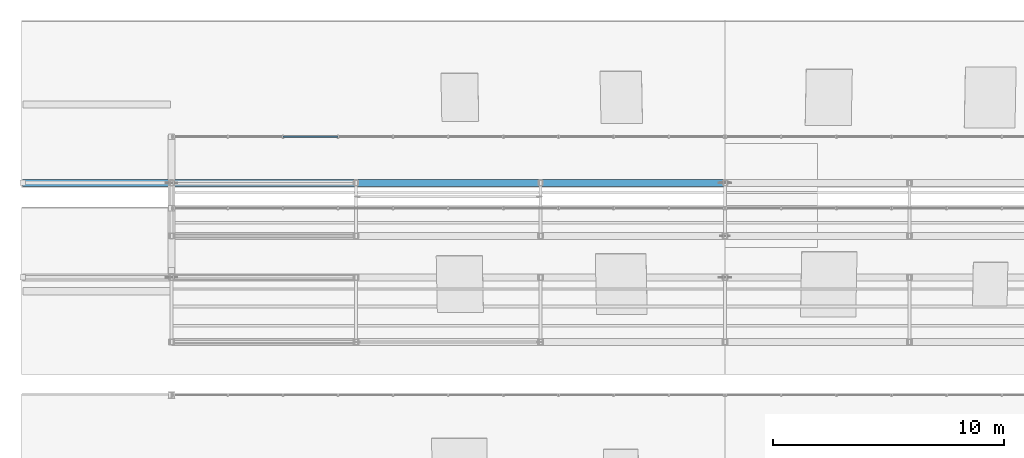
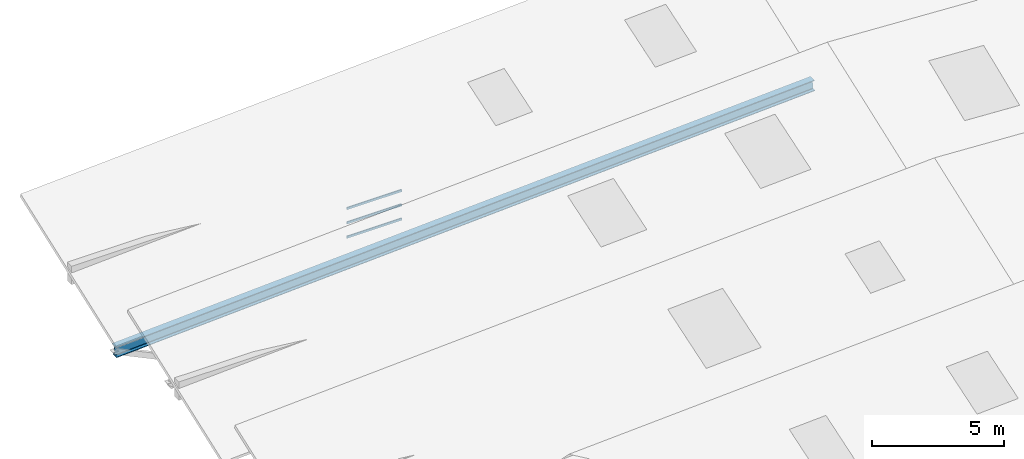
# One storey, part 101 of 141: 4 members, 1 element without a shape of its own.
"""IFC4 building model written with IfcOpenShell, lengths in metres."""

import ifcopenshell
import ifcopenshell.guid

model = None  # the IFC model being written
_history = None  # IfcOwnerHistory: only IFC2X3 demands one
_inside = {}  # id of a spatial element -> (the spatial element, [elements in it])
_under = {}  # id of a project, library or spatial element -> (it, [spatial elements below it])
_declared = {}  # id of a project -> (the project, [libraries it declares])
_typed = {}  # id of a type object -> (the type object, [elements of that type])
_made_of = {}  # id of a material, layer set ... -> (it, [elements and type objects made of it])


def new_model(schema):
    """Start an empty IFC model of exactly this schema.

    Asked for "IFC4X3", IfcOpenShell would pick the latest addendum, in which some entities
    have other attributes; the version numbers below select the first issue.
    IFC2X3 requires an IfcOwnerHistory on every rooted entity: one is made here for all.
    """
    global model, _history
    if schema == "IFC4X3":
        model = ifcopenshell.file(schema_version=(4, 3, 0, 0))
    else:
        model = ifcopenshell.file(schema=schema)
    _inside.clear()
    _under.clear()
    _declared.clear()
    _typed.clear()
    _made_of.clear()
    _history = None
    if model.schema == "IFC2X3":
        org = make("IfcOrganization", Name="unknown")
        user = make(
            "IfcPersonAndOrganization",
            ThePerson=make("IfcPerson", FamilyName="unknown"),
            TheOrganization=org,
        )
        app = make(
            "IfcApplication",
            ApplicationDeveloper=org,
            Version="unknown",
            ApplicationFullName="unknown",
            ApplicationIdentifier="unknown",
        )
        _history = make(
            "IfcOwnerHistory",
            OwningUser=user,
            OwningApplication=app,
            ChangeAction="ADDED",
            CreationDate=0,
        )
    return model


def make(cls, **values):
    """One entity of the class cls with the attributes given. An attribute that is None is left unset."""
    return model.create_entity(
        cls, **{name: value for name, value in values.items() if value is not None}
    )


def rooted(cls, **values):
    """An entity with a GlobalId (a new one), such as an element, a storey or a relation."""
    return make(cls, GlobalId=ifcopenshell.guid.new(), OwnerHistory=_history, **values)


def si_unit(unit_type, name, prefix=None):
    """IfcSIUnit, for example si_unit("LENGTHUNIT", "METRE", prefix="MILLI")."""
    return make("IfcSIUnit", UnitType=unit_type, Prefix=prefix, Name=name)


def assignment(units):
    """IfcUnitAssignment: the units of a project."""
    return None if units is None else make("IfcUnitAssignment", Units=units)


def point(xyz):
    """IfcCartesianPoint."""
    return None if xyz is None else make("IfcCartesianPoint", Coordinates=xyz)


def direction(xyz):
    """IfcDirection."""
    return None if xyz is None else make("IfcDirection", DirectionRatios=xyz)


def frame(location, z_axis=None, x_axis=None):
    """IfcAxis2Placement3D, a coordinate frame: its origin and axes. An axis left out is left unset."""
    return make(
        "IfcAxis2Placement3D",
        Location=point(location),
        Axis=direction(z_axis),
        RefDirection=direction(x_axis),
    )


def frame_2d(location, x_axis=None):
    """IfcAxis2Placement2D, a coordinate frame in the plane: its origin and x axis."""
    return make(
        "IfcAxis2Placement2D", Location=point(location), RefDirection=direction(x_axis)
    )


def origin():
    """The frame at (0, 0, 0) with its axes left unset."""
    return frame((0.0, 0.0, 0.0))


def origin_2d():
    """The frame at (0, 0) in the plane with its x axis left unset."""
    return frame_2d((0.0, 0.0))


def place(relative_to, where):
    """IfcLocalPlacement: puts the frame where relative to a parent placement (None: the world)."""
    return make(
        "IfcLocalPlacement", PlacementRelTo=relative_to, RelativePlacement=where
    )


def context(
    kind, dimensions, precision=None, world=None, true_north=None, identifier=None
):
    """IfcGeometricRepresentationContext, for example the 3D "Model" context."""
    return make(
        "IfcGeometricRepresentationContext",
        ContextIdentifier=identifier,
        ContextType=kind,
        CoordinateSpaceDimension=dimensions,
        Precision=precision,
        WorldCoordinateSystem=world,
        TrueNorth=true_north,
    )


def subcontext(parent, identifier, kind, view, scale=None):
    """IfcGeometricRepresentationSubContext, for example "Body" below "Model"."""
    return make(
        "IfcGeometricRepresentationSubContext",
        ContextIdentifier=identifier,
        ContextType=kind,
        ParentContext=parent,
        TargetScale=scale,
        TargetView=view,
    )


def project(units=None, contexts=None):
    """IfcProject with its units and contexts."""
    return rooted(
        "IfcProject",
        Name="project",
        RepresentationContexts=contexts,
        UnitsInContext=assignment(units),
    )


def spatial(cls, under=None, at=None, **own):
    """A site, building, storey or space (cls), placed at a placement, below another one or the project."""
    s = rooted(cls, ObjectPlacement=at, **own)
    if under is not None:
        _under.setdefault(under.id(), (under, []))[1].append(s)
    return s


def profile(cls, at=None, kind="AREA", **sizes):
    """A parametric profile (cls). Its sizes go by their IFC names, for example OverallWidth=200.0."""
    return make(cls, ProfileType=kind, Position=at, **sizes)


def hollow_rectangle(**sizes):
    """IfcRectangleHollowProfileDef."""
    return profile("IfcRectangleHollowProfileDef", **sizes)


def i_section(**sizes):
    """IfcIShapeProfileDef."""
    return profile("IfcIShapeProfileDef", **sizes)


def extrude(swept, where, along, depth):
    """IfcExtrudedAreaSolid: the profile swept, set in the frame where, extruded along a direction by depth."""
    return make(
        "IfcExtrudedAreaSolid",
        SweptArea=swept,
        Position=where,
        ExtrudedDirection=direction(along),
        Depth=depth,
    )


def shape(context_of_items, identifier, shape_type, items):
    """IfcShapeRepresentation: the items that make up one representation, for example the "Body"."""
    return make(
        "IfcShapeRepresentation",
        ContextOfItems=context_of_items,
        RepresentationIdentifier=identifier,
        RepresentationType=shape_type,
        Items=items,
    )


def material(Name=None, Category=None):
    """IfcMaterial."""
    return make("IfcMaterial", Name=Name, Category=Category)


def material_profile(
    of_material, cross_section, Name=None, Category=None, Priority=None
):
    """IfcMaterialProfile: a cross section and its material."""
    return make(
        "IfcMaterialProfile",
        Name=Name,
        Material=of_material,
        Profile=cross_section,
        Priority=Priority,
        Category=Category,
    )


def profile_set(profiles, Name=None, composite=None):
    """IfcMaterialProfileSet."""
    return make(
        "IfcMaterialProfileSet",
        Name=Name,
        MaterialProfiles=profiles,
        CompositeProfile=composite,
    )


def made_of(thing, what):
    """Note that an element or type object is made of a material, layer set ...; save() writes the relation."""
    if what is not None:
        _made_of.setdefault(what.id(), (what, []))[1].append(thing)
    return thing


def type_object(cls, material=None, **own):
    """A type object (cls), such as IfcWallType, which elements share."""
    return made_of(rooted(cls, **own), material)


def element(
    cls,
    number,
    at=None,
    inside=None,
    cuts=None,
    type_object=None,
    material=None,
    context=None,
    identifier="Body",
    shape_type=None,
    held_by="IfcProductDefinitionShape",
    body=None,
    shapes=None,
    **own,
):
    """One element of the class cls, such as IfcWall. Its Tag is "e" and its number.

    at: its placement. inside: the storey or other place that contains it. cuts: it is an
    opening in that element (IfcRelVoidsElement). A single representation is given by context,
    identifier, shape_type and body (its items); several are given by shapes. held_by: the class
    of the entity that holds the representations. save() writes the other relations.
    """
    e = rooted(cls, Tag="e%d" % number, ObjectPlacement=at, **own)
    if body is not None:
        shapes = [shape(context, identifier, shape_type, body)]
    if shapes is not None:
        e.Representation = make(held_by, Representations=shapes)
    if inside is not None:
        _inside.setdefault(inside.id(), (inside, []))[1].append(e)
    if cuts is not None:
        rooted(
            "IfcRelVoidsElement", RelatingBuildingElement=cuts, RelatedOpeningElement=e
        )
    if type_object is not None:
        _typed.setdefault(type_object.id(), (type_object, []))[1].append(e)
    return made_of(e, material)


def aggregate(whole, parts):
    """IfcRelAggregates: a whole, such as a stair, and the parts it consists of."""
    return rooted("IfcRelAggregates", RelatingObject=whole, RelatedObjects=parts)


def save(model, path):
    """Write the relations noted so far, then the file.

    IfcRelAggregates (storeys below a building ...), IfcRelContainedInSpatialStructure (elements
    in a storey), IfcRelDefinesByType, IfcRelAssociatesMaterial and IfcRelDeclares: one each for
    every whole, place, type object, material and project.
    """
    for whole, parts in _under.values():
        aggregate(whole, parts)
    for where, things in _inside.values():
        rooted(
            "IfcRelContainedInSpatialStructure",
            RelatedElements=things,
            RelatingStructure=where,
        )
    for kind, things in _typed.values():
        rooted("IfcRelDefinesByType", RelatedObjects=things, RelatingType=kind)
    for what, things in _made_of.values():
        rooted("IfcRelAssociatesMaterial", RelatedObjects=things, RelatingMaterial=what)
    for by, libraries in _declared.values():
        rooted("IfcRelDeclares", RelatingContext=by, RelatedDefinitions=libraries)
    model.write(path)


model = new_model("IFC4")

# Units and contexts
model_context = context("Model", 3, precision=1e-05, world=origin(), true_north=direction((0.0, 1.0)))
body_context = subcontext(model_context, "Body", "Model", "MODEL_VIEW")
ifc_project = project(units=[si_unit("LENGTHUNIT", "METRE"), si_unit("AREAUNIT", "SQUARE_METRE"), si_unit("VOLUMEUNIT", "CUBIC_METRE"), si_unit("PLANEANGLEUNIT", "RADIAN"), si_unit("MASSUNIT", "GRAM", prefix="KILO")], contexts=[model_context])

# Site, building, storey
site_placement = place(None, origin())
site = spatial("IfcSite", under=ifc_project, at=site_placement, CompositionType="ELEMENT")
building_placement = place(site_placement, origin())
building = spatial("IfcBuilding", under=site, at=building_placement, Name="Sundkrona Museum", CompositionType="ELEMENT")
storey_placement = place(building_placement, frame((0.0, 0.0, 34.0)))
storey = spatial("IfcBuildingStorey", under=building, at=storey_placement, Name="RF", CompositionType="ELEMENT", Elevation=34.0)

# Member
ifc_material_1 = material(Name="Steel S355J2", Category="steel")
ifc_material_profile_1 = material_profile(ifc_material_1, i_section(OverallWidth=0.300048828125, OverallDepth=0.5, WebThickness=0.014404296875, FlangeThickness=0.028076171875, FilletRadius=0.027099609375, at=origin_2d()), Name="HEB 500")
ifc_profile_set_1 = profile_set([ifc_material_profile_1], Name="Steel S355J2")
member_type_1 = type_object("IfcMemberType", Name="TC-HEB500", PredefinedType="CHORD", material=ifc_profile_set_1)
member_1_placement = place(storey_placement, frame((113.550048828125, 43.800048828125, 2.826416015625), z_axis=(0.998540021616, 0.0, 0.054016897652), x_axis=(0.0, 1.0, 0.0)))
element("IfcMember", 1, at=member_1_placement, inside=storey, type_object=member_type_1, Name="RFS-1 Sawtooth Truss 7 West Sloped Top Chord", PredefinedType="CHORD", context=body_context, shape_type="SweptSolid", body=[
    extrude(i_section(OverallWidth=0.300048828125, OverallDepth=0.5, WebThickness=0.014404296875, FlangeThickness=0.028076171875, FilletRadius=0.027099609375, at=origin_2d()), origin(), (0.0, 0.0, 1.0), 30.494384765625),
])

# Curtain wall, members
ifc_material_2 = material(Name="Unitised Aluminium-Steel and Ceramic-Clad Curtain Walling", Category="steel")
curtain_wall_type = type_object("IfcCurtainWallType", Name="CW-SW-240x13", PredefinedType="NOTDEFINED", material=ifc_material_2)
curtain_wall_placement = place(storey_placement, origin())
curtain_wall = element("IfcCurtainWall", 2, at=curtain_wall_placement, inside=storey, type_object=curtain_wall_type, Name="Sawtooth Bay 7 West North-Light Clerestory", PredefinedType="NOTDEFINED")
ifc_material_3 = material(Name="Aluminium EN AW-6060 T66", Category="aluminium")
ifc_material_profile_2 = material_profile(ifc_material_3, hollow_rectangle(XDim=0.050048828125, YDim=0.10009765625, WallThickness=0.0048828125, at=origin_2d()), Name="RHS 100x50x5.0")
ifc_profile_set_2 = profile_set([ifc_material_profile_2], Name="Aluminium EN AW-6060 T66")
member_type_2 = type_object("IfcMemberType", Name="TR-100", PredefinedType="USERDEFINED", material=ifc_profile_set_2)
member_2_placement = place(storey_placement, frame((124.830078125, 45.800048828125, 2.89306640625), z_axis=(1.0, 0.0, 0.0), x_axis=(0.0, 1.0, 0.0)))
member_2 = element("IfcMember", 3, at=member_2_placement, type_object=member_type_2, Name="CW-RF-SAW-07W Transom 07", ObjectType="TRANSOM", PredefinedType="USERDEFINED", context=body_context, shape_type="SweptSolid", body=[
    extrude(hollow_rectangle(XDim=0.050048828125, YDim=0.10009765625, WallThickness=0.0048828125, at=origin_2d()), origin(), (0.0, 0.0, 1.0), 2.389892578125),
])
member_3_placement = place(storey_placement, frame((124.830078125, 45.800048828125, 3.552978515625), z_axis=(1.0, 0.0, 0.0), x_axis=(0.0, 1.0, 0.0)))
member_3 = element("IfcMember", 4, at=member_3_placement, type_object=member_type_2, Name="CW-RF-SAW-07W Transom 08", ObjectType="TRANSOM", PredefinedType="USERDEFINED", context=body_context, shape_type="SweptSolid", body=[
    extrude(hollow_rectangle(XDim=0.050048828125, YDim=0.10009765625, WallThickness=0.0048828125, at=origin_2d()), origin(), (0.0, 0.0, 1.0), 2.389892578125),
])
member_4_placement = place(storey_placement, frame((124.830078125, 45.800048828125, 4.212890625), z_axis=(1.0, 0.0, 0.0), x_axis=(0.0, 1.0, 0.0)))
member_4 = element("IfcMember", 5, at=member_4_placement, type_object=member_type_2, Name="CW-RF-SAW-07W Transom 09", ObjectType="TRANSOM", PredefinedType="USERDEFINED", context=body_context, shape_type="SweptSolid", body=[
    extrude(hollow_rectangle(XDim=0.050048828125, YDim=0.10009765625, WallThickness=0.0048828125, at=origin_2d()), origin(), (0.0, 0.0, 1.0), 2.389892578125),
])
aggregate(curtain_wall, [member_2, member_3, member_4])

save(model, "model.ifc")
